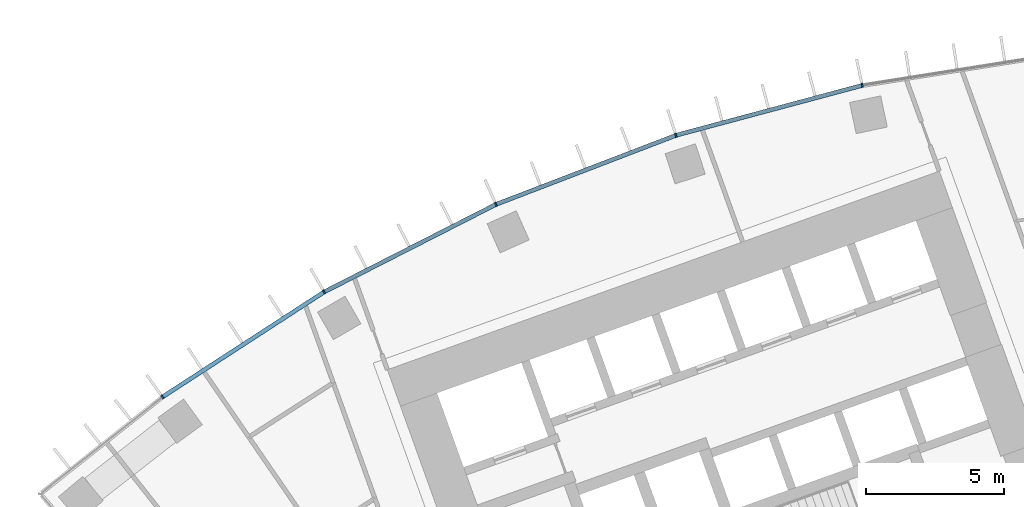
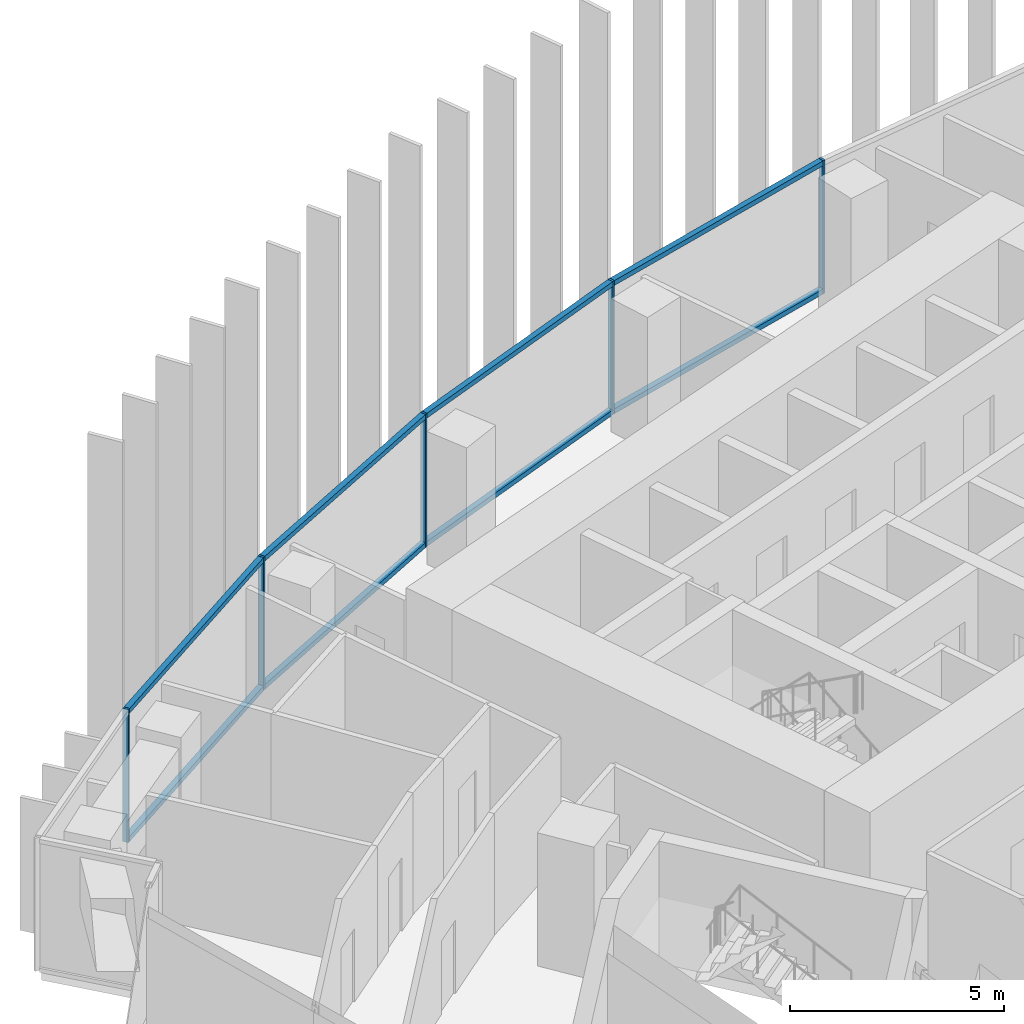
# One storey, part 6 of 22: 13 members, 1 element without a shape of its own.
"""IFC4 building model written with IfcOpenShell, lengths in metres."""

from ifc_helpers import new_model, si_unit, direction, frame, origin, origin_2d, place, context, subcontext, project, spatial, rectangle, extrude, material, layer, layer_set, material_profile, profile_set, type_object, element, aggregate, save


model = new_model("IFC4")

# Units and contexts
model_context = context("Model", 3, precision=1e-05, world=origin(), true_north=direction((0.0, 1.0)))
body_context = subcontext(model_context, "Body", "Model", "MODEL_VIEW")
ifc_project = project(units=[si_unit("LENGTHUNIT", "METRE"), si_unit("AREAUNIT", "SQUARE_METRE"), si_unit("VOLUMEUNIT", "CUBIC_METRE"), si_unit("PLANEANGLEUNIT", "RADIAN"), si_unit("MASSUNIT", "GRAM", prefix="KILO")], contexts=[model_context])

# Site, building, storey
site_placement = place(None, origin())
site = spatial("IfcSite", under=ifc_project, at=site_placement, CompositionType="ELEMENT")
building_placement = place(site_placement, origin())
building = spatial("IfcBuilding", under=site, at=building_placement, Name="Stone Belt Terrace Tower", CompositionType="ELEMENT")
storey_placement = place(building_placement, frame((0.0, 0.0, 121.199951171875)))
storey = spatial("IfcBuildingStorey", under=building, at=storey_placement, Name="L29", CompositionType="ELEMENT", Elevation=121.199951171875)

# Curtain wall, members
ifc_material = material(Name="Aluminium 6063-T6 anodised frame", Category="aluminium")
ifc_layer = layer(ifc_material, 0.14990234375)
ifc_layer_set = layer_set([ifc_layer], Name="CW-A unitised convex-face curtain wall")
curtain_wall_type = type_object("IfcCurtainWallType", Name="CW-A unitised convex-face curtain wall", PredefinedType="NOTDEFINED", material=ifc_layer_set)
curtain_wall_placement = place(storey_placement, origin())
curtain_wall = element("IfcCurtainWall", 1, at=curtain_wall_placement, inside=storey, type_object=curtain_wall_type, Name="CW-A convex face L29", PredefinedType="NOTDEFINED")
ifc_material_profile_1 = material_profile(ifc_material, rectangle(XDim=0.14990234375, YDim=0.06005859375, at=origin_2d()), Name="Aluminium 6063-T6 60x150")
ifc_profile_set_1 = profile_set([ifc_material_profile_1], Name="Aluminium 6063-T6 anodised frame")
member_type_1 = type_object("IfcMemberType", Name="CW-A mullion 60 x 150", PredefinedType="MULLION", material=ifc_profile_set_1)
member_1_placement = place(storey_placement, frame((-13.841796875, 65.120361328125, 0.0), z_axis=(0.0, 0.0, 1.0), x_axis=(0.207911690818, -0.978147600734, 0.0)))
member_1 = element("IfcMember", 2, at=member_1_placement, type_object=member_type_1, Name="CW-A mullion 12", PredefinedType="MULLION", context=body_context, shape_type="SweptSolid", body=[
    extrude(rectangle(XDim=0.14990234375, YDim=0.06005859375, at=origin_2d()), origin(), (0.0, 0.0, 1.0), 3.800048828125),
])
member_2_placement = place(storey_placement, frame((-20.57275390625, 63.316650390625, 0.0), z_axis=(0.0, 0.0, 1.0), x_axis=(0.309016994375, -0.951056516295, 0.0)))
member_2 = element("IfcMember", 3, at=member_2_placement, type_object=member_type_1, Name="CW-A mullion 13", PredefinedType="MULLION", context=body_context, shape_type="SweptSolid", body=[
    extrude(rectangle(XDim=0.14990234375, YDim=0.06005859375, at=origin_2d()), origin(), (0.0, 0.0, 1.0), 3.800048828125),
])
member_3_placement = place(storey_placement, frame((-27.07861328125, 60.8193359375, 0.0), z_axis=(0.0, 0.0, 1.0), x_axis=(0.406736643076, -0.913545457643, 0.0)))
member_3 = element("IfcMember", 4, at=member_3_placement, type_object=member_type_1, Name="CW-A mullion 14", PredefinedType="MULLION", context=body_context, shape_type="SweptSolid", body=[
    extrude(rectangle(XDim=0.14990234375, YDim=0.06005859375, at=origin_2d()), origin(), (0.0, 0.0, 1.0), 3.800048828125),
])
member_4_placement = place(storey_placement, frame((-33.28759765625, 57.65576171875, 0.0), z_axis=(0.0, 0.0, 1.0), x_axis=(0.5, -0.866025403784, 0.0)))
member_4 = element("IfcMember", 5, at=member_4_placement, type_object=member_type_1, Name="CW-A mullion 15", PredefinedType="MULLION", context=body_context, shape_type="SweptSolid", body=[
    extrude(rectangle(XDim=0.14990234375, YDim=0.06005859375, at=origin_2d()), origin(), (0.0, 0.0, 1.0), 3.800048828125),
])
member_5_placement = place(storey_placement, frame((-39.131591796875, 53.860595703125, 0.0), z_axis=(0.0, 0.0, 1.0), x_axis=(0.583508737005, -0.812106861096, 0.0)))
member_5 = element("IfcMember", 6, at=member_5_placement, type_object=member_type_1, Name="CW-A mullion 16", PredefinedType="MULLION", context=body_context, shape_type="SweptSolid", body=[
    extrude(rectangle(XDim=0.14990234375, YDim=0.06005859375, at=origin_2d()), origin(), (0.0, 0.0, 1.0), 3.800048828125),
])
ifc_material_profile_2 = material_profile(ifc_material, rectangle(XDim=0.14990234375, YDim=0.139892578125, at=origin_2d()), Name="Aluminium 6063-T6 150x140")
ifc_profile_set_2 = profile_set([ifc_material_profile_2], Name="Aluminium 6063-T6 anodised frame")
member_type_2 = type_object("IfcMemberType", Name="CW-A transom 140 x 150", PredefinedType="USERDEFINED", material=ifc_profile_set_2)
member_6_placement = place(storey_placement, frame((-13.87451171875, 65.111572265625, 0.070068359375), z_axis=(-0.965921835863, -0.258833937117, 0.0), x_axis=(0.258833937117, -0.965921835863, 0.0)))
member_6 = element("IfcMember", 7, at=member_6_placement, type_object=member_type_2, Name="CW-A transom 12.1", ObjectType="TRANSOM", PredefinedType="USERDEFINED", context=body_context, shape_type="SweptSolid", body=[
    extrude(rectangle(XDim=0.14990234375, YDim=0.139892578125, at=origin_2d()), origin(), (0.0, 0.0, 1.0), 6.900634765625),
])
member_7_placement = place(storey_placement, frame((-13.87451171875, 65.111572265625, 3.72998046875), z_axis=(-0.965921835863, -0.258833937117, 0.0), x_axis=(0.258833937117, -0.965921835863, 0.0)))
member_7 = element("IfcMember", 8, at=member_7_placement, type_object=member_type_2, Name="CW-A transom 12.2", ObjectType="TRANSOM", PredefinedType="USERDEFINED", context=body_context, shape_type="SweptSolid", body=[
    extrude(rectangle(XDim=0.14990234375, YDim=0.139892578125, at=origin_2d()), origin(), (0.0, 0.0, 1.0), 6.900634765625),
])
member_8_placement = place(storey_placement, frame((-20.6044921875, 63.304443359375, 0.070068359375), z_axis=(-0.933585210269, -0.358355487146, 0.0), x_axis=(0.358355487146, -0.933585210269, 0.0)))
member_8 = element("IfcMember", 9, at=member_8_placement, type_object=member_type_2, Name="CW-A transom 13.1", ObjectType="TRANSOM", PredefinedType="USERDEFINED", context=body_context, shape_type="SweptSolid", body=[
    extrude(rectangle(XDim=0.14990234375, YDim=0.139892578125, at=origin_2d()), origin(), (0.0, 0.0, 1.0), 6.900634765625),
])
member_9_placement = place(storey_placement, frame((-20.6044921875, 63.304443359375, 3.72998046875), z_axis=(-0.933585210269, -0.358355487146, 0.0), x_axis=(0.358355487146, -0.933585210269, 0.0)))
member_9 = element("IfcMember", 10, at=member_9_placement, type_object=member_type_2, Name="CW-A transom 13.2", ObjectType="TRANSOM", PredefinedType="USERDEFINED", context=body_context, shape_type="SweptSolid", body=[
    extrude(rectangle(XDim=0.14990234375, YDim=0.139892578125, at=origin_2d()), origin(), (0.0, 0.0, 1.0), 6.900634765625),
])
member_10_placement = place(storey_placement, frame((-27.108642578125, 60.803955078125, 0.070068359375), z_axis=(-0.891012226264, -0.453979308613, 0.0), x_axis=(0.453979308613, -0.891012226264, 0.0)))
member_10 = element("IfcMember", 11, at=member_10_placement, type_object=member_type_2, Name="CW-A transom 14.1", ObjectType="TRANSOM", PredefinedType="USERDEFINED", context=body_context, shape_type="SweptSolid", body=[
    extrude(rectangle(XDim=0.14990234375, YDim=0.139892578125, at=origin_2d()), origin(), (0.0, 0.0, 1.0), 6.90087890625),
])
member_11_placement = place(storey_placement, frame((-27.108642578125, 60.803955078125, 3.72998046875), z_axis=(-0.891012226264, -0.453979308613, 0.0), x_axis=(0.453979308613, -0.891012226264, 0.0)))
member_11 = element("IfcMember", 12, at=member_11_placement, type_object=member_type_2, Name="CW-A transom 14.2", ObjectType="TRANSOM", PredefinedType="USERDEFINED", context=body_context, shape_type="SweptSolid", body=[
    extrude(rectangle(XDim=0.14990234375, YDim=0.139892578125, at=origin_2d()), origin(), (0.0, 0.0, 1.0), 6.90087890625),
])
member_12_placement = place(storey_placement, frame((-33.31591796875, 57.63720703125, 0.070068359375), z_axis=(-0.83868440714, -0.544617723931, 0.0), x_axis=(0.544617723931, -0.83868440714, 0.0)))
member_12 = element("IfcMember", 13, at=member_12_placement, type_object=member_type_2, Name="CW-A transom 15.1", ObjectType="TRANSOM", PredefinedType="USERDEFINED", context=body_context, shape_type="SweptSolid", body=[
    extrude(rectangle(XDim=0.14990234375, YDim=0.139892578125, at=origin_2d()), origin(), (0.0, 0.0, 1.0), 6.90087890625),
])
member_13_placement = place(storey_placement, frame((-33.31591796875, 57.63720703125, 3.72998046875), z_axis=(-0.83868440714, -0.544617723931, 0.0), x_axis=(0.544617723931, -0.83868440714, 0.0)))
member_13 = element("IfcMember", 14, at=member_13_placement, type_object=member_type_2, Name="CW-A transom 15.2", ObjectType="TRANSOM", PredefinedType="USERDEFINED", context=body_context, shape_type="SweptSolid", body=[
    extrude(rectangle(XDim=0.14990234375, YDim=0.139892578125, at=origin_2d()), origin(), (0.0, 0.0, 1.0), 6.90087890625),
])
aggregate(curtain_wall, [member_1, member_2, member_3, member_4, member_5, member_6, member_7, member_8, member_9, member_10, member_11, member_12, member_13])

save(model, "model.ifc")
